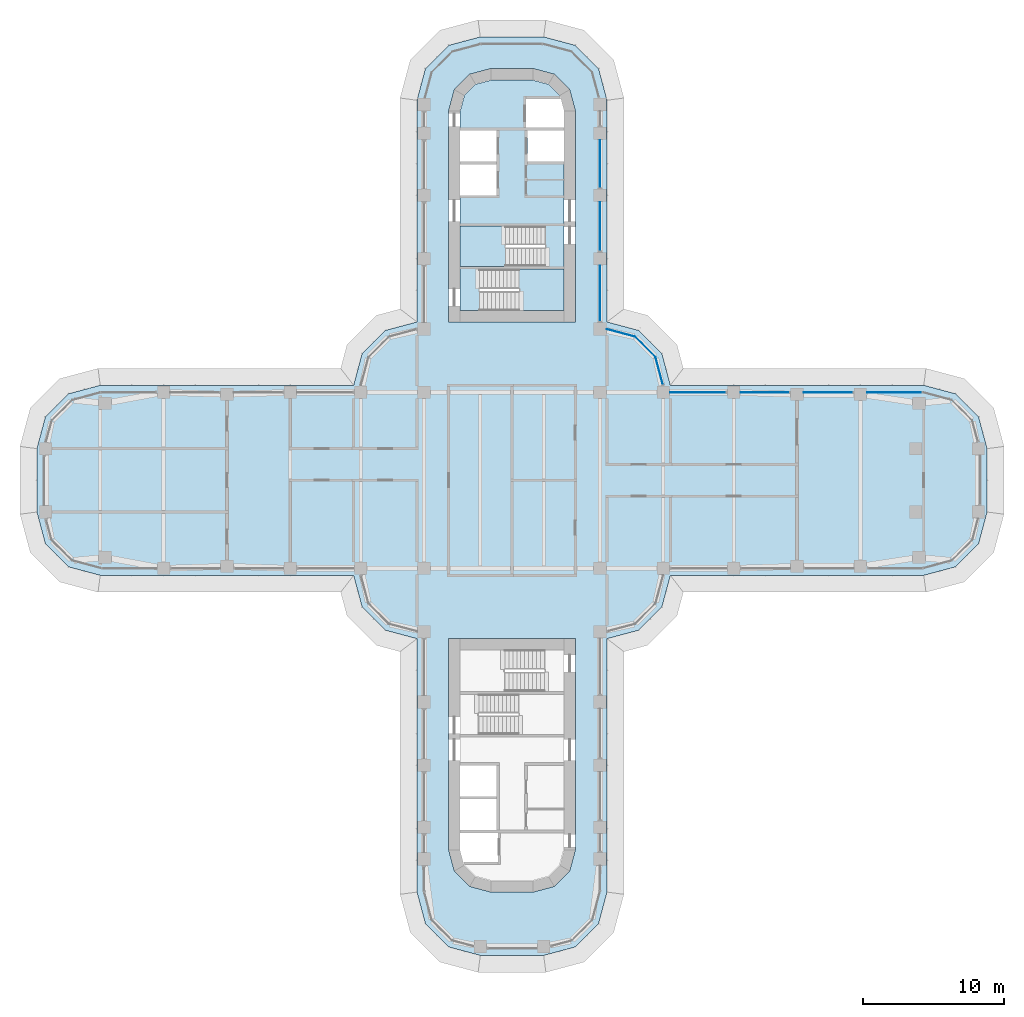
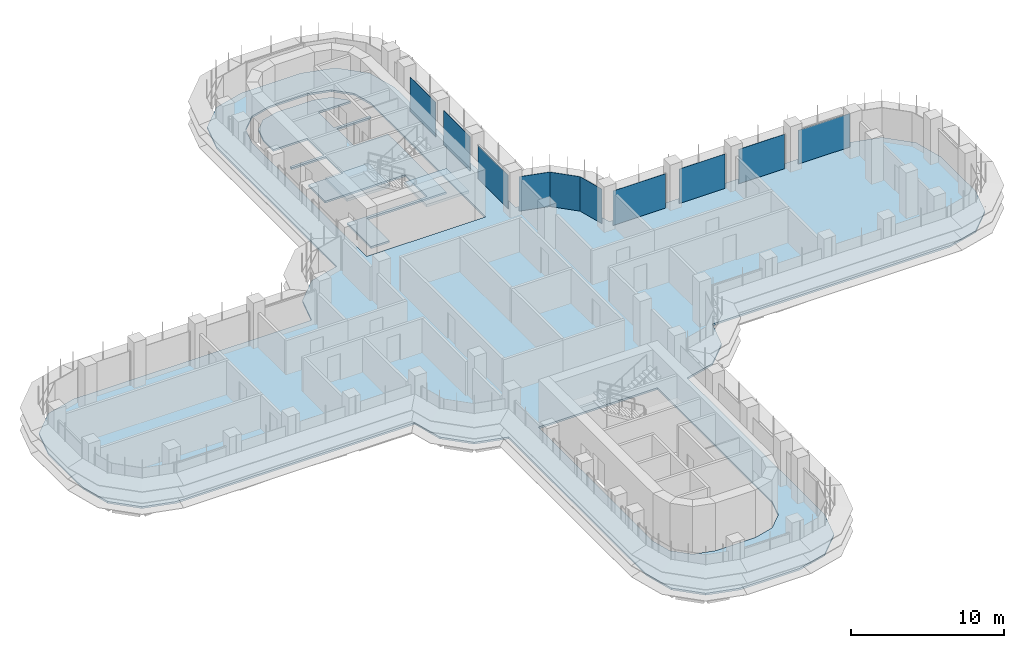
# One storey, part 14 of 22: 10 plates, 4 slabs, 7 elements without a shape of their own.
"""IFC4 building model written with IfcOpenShell, lengths in metres."""

from ifc_helpers import new_model, si_unit, direction, frame, origin, place, context, subcontext, project, spatial, polyline, outline, extrude, source, transform, mapped, material, layer, layer_set, type_object, element, aggregate, save


model = new_model("IFC4")

# Units and contexts
model_context = context("Model", 3, precision=1e-05, world=origin(), true_north=direction((0.0, 1.0)))
body_context = subcontext(model_context, "Body", "Model", "MODEL_VIEW")
ifc_project = project(units=[si_unit("LENGTHUNIT", "METRE"), si_unit("AREAUNIT", "SQUARE_METRE"), si_unit("VOLUMEUNIT", "CUBIC_METRE"), si_unit("PLANEANGLEUNIT", "RADIAN"), si_unit("MASSUNIT", "GRAM", prefix="KILO")], contexts=[model_context])

# Site, building, storey
site_placement = place(None, origin())
site = spatial("IfcSite", under=ifc_project, at=site_placement, CompositionType="ELEMENT")
building_placement = place(site_placement, origin())
building = spatial("IfcBuilding", under=site, at=building_placement, Name="Zarbagh Exchange Tower", CompositionType="ELEMENT")
storey_placement = place(building_placement, frame((0.0, 0.0, 98.0)))
storey = spatial("IfcBuildingStorey", under=building, at=storey_placement, Name="L22", CompositionType="ELEMENT", Elevation=98.0)

# Slabs
ifc_material_1 = material(Name="Concrete C40/50", Category="concrete")
ifc_layer_1 = layer(ifc_material_1, 0.14990234375)
ifc_layer_set_1 = layer_set([ifc_layer_1], Name="Composite floor slab 150 C40/50")
slab_type_1 = type_object("IfcSlabType", Name="Composite floor slab 150 C40/50", PredefinedType="FLOOR", material=ifc_layer_set_1)
slab_1_placement = place(storey_placement, frame((0.0, 0.0, -0.14990234375)))
element("IfcSlab", 1, at=slab_1_placement, inside=storey, type_object=slab_type_1, Name="S5 composite floor slab", PredefinedType="FLOOR", context=body_context, shape_type="SweptSolid", body=[
    extrude(outline(polyline([(-2.25, -33.75), (-4.5, -33.147216796875), (-6.147216796875, -31.5), (-6.75, -29.25), (-6.75, -11.25), (-9.0, -10.647216796875), (-10.647216796875, -9.0), (-11.25, -6.75), (-29.25, -6.75), (-31.5, -6.147216796875), (-33.147216796875, -4.5), (-33.75, -2.25), (-33.75, 2.25), (-33.147216796875, 4.5), (-31.5, 6.147216796875), (-29.25, 6.75), (-11.25, 6.75), (-10.647216796875, 9.0), (-9.0, 10.647216796875), (-6.75, 11.25), (-6.75, 27.0), (-6.147216796875, 29.25), (-4.5, 30.897216796875), (-2.25, 31.5), (2.25, 31.5), (4.5, 30.897216796875), (6.147216796875, 29.25), (6.75, 27.0), (6.75, 11.25), (9.0, 10.647216796875), (10.647216796875, 9.0), (11.25, 6.75), (29.25, 6.75), (31.5, 6.147216796875), (33.147216796875, 4.5), (33.75, 2.25), (33.75, -2.25), (33.147216796875, -4.5), (31.5, -6.147216796875), (29.25, -6.75), (11.25, -6.75), (10.647216796875, -9.0), (9.0, -10.647216796875), (6.75, -11.25), (6.75, -29.25), (6.147216796875, -31.5), (4.5, -33.147216796875), (2.25, -33.75), (-2.25, -33.75)]), holes=[polyline([(4.5, 11.25), (4.5, 26.25), (4.09814453125, 27.75), (3.0, 28.84814453125), (1.5, 29.25), (-1.5, 29.25), (-3.0, 28.84814453125), (-4.09814453125, 27.75), (-4.5, 26.25), (-4.5, 11.25), (4.5, 11.25)]), polyline([(-1.5, -29.25), (1.5, -29.25), (3.0, -28.84814453125), (4.09814453125, -27.75), (4.5, -26.25), (4.5, -11.25), (-4.5, -11.25), (-4.5, -26.25), (-4.09814453125, -27.75), (-3.0, -28.84814453125), (-1.5, -29.25)])]), origin(), (0.0, 0.0, 1.0), 0.14990234375),
])
ifc_layer_2 = layer(ifc_material_1, 0.14990234375)
ifc_layer_set_2 = layer_set([ifc_layer_2], Name="Core floor slab 150 C40/50")
slab_type_2 = type_object("IfcSlabType", Name="Core floor slab 150 C40/50", PredefinedType="FLOOR", material=ifc_layer_set_2)
slab_2_placement = place(storey_placement, frame((0.0, 0.0, -0.14990234375)))
element("IfcSlab", 2, at=slab_2_placement, inside=storey, type_object=slab_type_2, Name="S17 core N", PredefinedType="FLOOR", context=body_context, shape_type="SweptSolid", body=[
    extrude(outline(polyline([(-3.699951171875, 12.050048828125), (-3.699951171875, 15.199951171875), (2.35009765625, 15.199951171875), (2.35009765625, 18.050048828125), (-3.699951171875, 18.050048828125), (-3.699951171875, 20.25), (-1.10009765625, 20.25), (-1.10009765625, 22.449951171875), (-3.699951171875, 22.449951171875), (-3.699951171875, 22.64990234375), (-1.10009765625, 22.64990234375), (-1.10009765625, 24.85009765625), (-3.699951171875, 24.85009765625), (-3.699951171875, 26.144775390625), (-3.380859375, 27.3359375), (-2.5859375, 28.130859375), (-1.394775390625, 28.449951171875), (1.394775390625, 28.449951171875), (2.5859375, 28.130859375), (3.380859375, 27.3359375), (3.646484375, 26.3447265625), (3.444091796875, 27.10009765625), (1.0, 27.10009765625), (1.0, 25.050048828125), (3.699951171875, 25.050048828125), (3.699951171875, 24.85009765625), (1.10009765625, 24.85009765625), (1.10009765625, 22.64990234375), (3.699951171875, 22.64990234375), (3.699951171875, 15.0), (-2.300048828125, 15.0), (-2.300048828125, 12.050048828125), (-3.699951171875, 12.050048828125)])), origin(), (0.0, 0.0, 1.0), 0.14990234375),
])

# Stair, slab
stair_type = type_object("IfcStairType", Name="Exit stair two-flight half-turn", PredefinedType="HALF_TURN_STAIR", material=ifc_material_1)
stair_1_placement = place(storey_placement, origin())
stair_1 = element("IfcStair", 3, at=stair_1_placement, inside=storey, type_object=stair_type, Name="exit stair ST1", PredefinedType="HALF_TURN_STAIR")
ifc_layer_3 = layer(ifc_material_1, 0.199951171875)
ifc_layer_set_3 = layer_set([ifc_layer_3], Name="Stair landing 200 mm")
slab_type_3 = type_object("IfcSlabType", Name="Stair landing 200 mm", PredefinedType="LANDING", material=ifc_layer_set_3)
slab_3_placement = place(storey_placement, frame((0.0, 0.0, 1.699951171875)))
slab_3 = element("IfcSlab", 4, at=slab_3_placement, type_object=slab_type_3, Name="ST1 landing 1", PredefinedType="LANDING", context=body_context, shape_type="SweptSolid", body=[
    extrude(outline(polyline([(-0.449951171875, 18.050048828125), (-3.699951171875, 18.050048828125), (-3.699951171875, 15.199951171875), (-0.449951171875, 15.199951171875), (-0.449951171875, 18.050048828125)])), origin(), (0.0, 0.0, 1.0), 0.199951171875),
])
aggregate(stair_1, [slab_3])

stair_2_placement = place(storey_placement, origin())
stair_2 = element("IfcStair", 5, at=stair_2_placement, inside=storey, type_object=stair_type, Name="exit stair ST2", PredefinedType="HALF_TURN_STAIR")
slab_4_placement = place(storey_placement, frame((0.0, 0.0, 1.699951171875)))
slab_4 = element("IfcSlab", 6, at=slab_4_placement, type_object=slab_type_3, Name="ST2 landing 1", PredefinedType="LANDING", context=body_context, shape_type="SweptSolid", body=[
    extrude(outline(polyline([(0.5, 12.050048828125), (3.699951171875, 12.050048828125), (3.699951171875, 15.0), (0.5, 15.0), (0.5, 12.050048828125)])), origin(), (0.0, 0.0, 1.0), 0.199951171875),
])
aggregate(stair_2, [slab_4])

# Curtain wall, plate
ifc_material_2 = material(Name="Anodised aluminium frame and glazing", Category="aluminium")
curtain_wall_type = type_object("IfcCurtainWallType", Name="CWA Ribbon glazing, lower zones", PredefinedType="NOTDEFINED", material=ifc_material_2)
curtain_wall_1_placement = place(storey_placement, origin())
curtain_wall_1 = element("IfcCurtainWall", 7, at=curtain_wall_1_placement, inside=storey, type_object=curtain_wall_type, Name="CWA18 curtain wall", PredefinedType="NOTDEFINED")
ifc_material_3 = material(Name="Low-e double glazed unit, 6+12+6 mm")
ifc_layer_4 = layer(ifc_material_3, 0.028076171875)
ifc_layer_set_4 = layer_set([ifc_layer_4], Name="PAA Glazing panel, Low-e double glazed unit, 6+12+6 mm")
plate_type = type_object("IfcPlateType", Name="PAA Glazing panel, Low-e double glazed unit, 6+12+6 mm", PredefinedType="CURTAIN_PANEL", material=ifc_layer_set_4)
shared_shape_1 = source(origin(), body_context, "Body", "SweptSolid", [
    extrude(outline(polyline([(0.0, -0.013916015625), (2.061279296875, -0.013916015625), (2.061279296875, 0.013916015625), (0.0, 0.013916015625), (0.0, -0.013916015625)])), origin(), (0.0, 0.0, 1.0), 2.75),
])
placement = place(storey_placement, origin())
plate_1 = element("IfcPlate", 8, at=placement, type_object=plate_type, Name="CWA18 glazing panel 1.1", PredefinedType="CURTAIN_PANEL", context=body_context, shape_type="MappedRepresentation", body=[
    mapped(shared_shape_1, transform((10.19873046875, 8.7412109375, 0.0), x_axis=(-0.707106781187, 0.707106781187, 0.0), y_axis=(-0.707106781187, -0.707106781187, 0.0), z_axis=(0.0, 0.0, 1.0))),
])
aggregate(curtain_wall_1, [plate_1])

curtain_wall_2_placement = place(storey_placement, origin())
curtain_wall_2 = element("IfcCurtainWall", 9, at=curtain_wall_2_placement, inside=storey, type_object=curtain_wall_type, Name="CWA49 curtain wall", PredefinedType="NOTDEFINED")
shared_shape_2 = source(origin(), body_context, "Body", "SweptSolid", [
    extrude(outline(polyline([(0.0, -0.013916015625), (3.360107421875, -0.013916015625), (3.360107421875, 0.013916015625), (0.0, 0.013916015625), (0.0, -0.013916015625)])), origin(), (0.0, 0.0, 1.0), 2.75),
])
plate_2 = element("IfcPlate", 10, at=placement, type_object=plate_type, Name="CWA49 glazing panel 3.1", PredefinedType="CURTAIN_PANEL", context=body_context, shape_type="MappedRepresentation", body=[
    mapped(shared_shape_2, transform((6.25, 20.800048828125, 0.0), x_axis=(0.0, 1.0, 0.0), y_axis=(-1.0, 0.0, 0.0), z_axis=(0.0, 0.0, 1.0))),
])

# Curtain wall, plates
curtain_wall_3_placement = place(storey_placement, origin())
curtain_wall_3 = element("IfcCurtainWall", 11, at=curtain_wall_3_placement, inside=storey, type_object=curtain_wall_type, Name="CWA16 curtain wall", PredefinedType="NOTDEFINED")
shared_shape_3 = source(origin(), body_context, "Body", "SweptSolid", [
    extrude(outline(polyline([(0.0, -0.013916015625), (3.4599609375, -0.013916015625), (3.4599609375, 0.013916015625), (0.0, 0.013916015625), (0.0, -0.013916015625)])), origin(), (0.0, 0.0, 1.0), 2.75),
])
plate_3 = element("IfcPlate", 12, at=placement, type_object=plate_type, Name="CWA16 glazing panel 2.1", PredefinedType="CURTAIN_PANEL", context=body_context, shape_type="MappedRepresentation", body=[
    mapped(shared_shape_3, transform((24.199951171875, 6.25, 0.0), x_axis=(-1.0, 0.0, 0.0), y_axis=(0.0, -1.0, 0.0), z_axis=(0.0, 0.0, 1.0))),
])
plate_4 = element("IfcPlate", 13, at=placement, type_object=plate_type, Name="CWA16 glazing panel 3.1", PredefinedType="CURTAIN_PANEL", context=body_context, shape_type="MappedRepresentation", body=[
    mapped(shared_shape_3, transform((19.699951171875, 6.25, 0.0), x_axis=(-1.0, 0.0, 0.0), y_axis=(0.0, -1.0, 0.0), z_axis=(0.0, 0.0, 1.0))),
])

# Plate
plate_5 = element("IfcPlate", 14, at=placement, type_object=plate_type, Name="CWA49 glazing panel 2.1", PredefinedType="CURTAIN_PANEL", context=body_context, shape_type="MappedRepresentation", body=[
    mapped(shared_shape_3, transform((6.25, 16.300048828125, 0.0), x_axis=(0.0, 1.0, 0.0), y_axis=(-1.0, 0.0, 0.0), z_axis=(0.0, 0.0, 1.0))),
])

shared_shape_4 = source(origin(), body_context, "Body", "SweptSolid", [
    extrude(outline(polyline([(0.0, -0.013916015625), (3.9599609375, -0.013916015625), (3.9599609375, 0.013916015625), (0.0, 0.013916015625), (0.0, -0.013916015625)])), origin(), (0.0, 0.0, 1.0), 2.75),
])
plate_6 = element("IfcPlate", 15, at=placement, type_object=plate_type, Name="CWA16 glazing panel 4.1", PredefinedType="CURTAIN_PANEL", context=body_context, shape_type="MappedRepresentation", body=[
    mapped(shared_shape_4, transform((15.199951171875, 6.25, 0.0), x_axis=(-1.0, 0.0, 0.0), y_axis=(0.0, -1.0, 0.0), z_axis=(0.0, 0.0, 1.0))),
])

# Curtain wall, plate
curtain_wall_4_placement = place(storey_placement, origin())
curtain_wall_4 = element("IfcCurtainWall", 16, at=curtain_wall_4_placement, inside=storey, type_object=curtain_wall_type, Name="CWA17 curtain wall", PredefinedType="NOTDEFINED")
shared_shape_5 = source(origin(), body_context, "Body", "SweptSolid", [
    extrude(outline(polyline([(0.0, -0.013916015625), (2.01171875, -0.013916015625), (2.01171875, 0.013916015625), (0.0, 0.013916015625), (0.0, -0.013916015625)])), origin(), (0.0, 0.0, 1.0), 2.75),
])
plate_7 = element("IfcPlate", 17, at=placement, type_object=plate_type, Name="CWA17 glazing panel 1.1", PredefinedType="CURTAIN_PANEL", context=body_context, shape_type="MappedRepresentation", body=[
    mapped(shared_shape_5, transform((10.719482421875, 6.7978515625, 0.0), x_axis=(-0.258824779902, 0.965924289636, 0.0), y_axis=(-0.965924289636, -0.258824779902, 0.0), z_axis=(0.0, 0.0, 1.0))),
])
aggregate(curtain_wall_4, [plate_7])

curtain_wall_5_placement = place(storey_placement, origin())
curtain_wall_5 = element("IfcCurtainWall", 18, at=curtain_wall_5_placement, inside=storey, type_object=curtain_wall_type, Name="CWA19 curtain wall", PredefinedType="NOTDEFINED")
shared_shape_6 = source(origin(), body_context, "Body", "SweptSolid", [
    extrude(outline(polyline([(0.0, -0.013916015625), (2.07177734375, -0.013916015625), (2.07177734375, 0.013916015625), (0.0, 0.013916015625), (0.0, -0.013916015625)])), origin(), (0.0, 0.0, 1.0), 2.75),
])
plate_8 = element("IfcPlate", 19, at=placement, type_object=plate_type, Name="CWA19 glazing panel 1.1", PredefinedType="CURTAIN_PANEL", context=body_context, shape_type="MappedRepresentation", body=[
    mapped(shared_shape_6, transform((8.7412109375, 10.19873046875, 0.0), x_axis=(-0.965924289636, 0.258824779902, 0.0), y_axis=(-0.258824779902, -0.965924289636, 0.0), z_axis=(0.0, 0.0, 1.0))),
])
aggregate(curtain_wall_5, [plate_8])

# Plate
shared_shape_7 = source(origin(), body_context, "Body", "SweptSolid", [
    extrude(outline(polyline([(0.0, -0.013916015625), (3.9599609375, -0.013916015625), (3.9599609375, 0.013916015625), (0.0, 0.013916015625), (0.0, -0.013916015625)])), origin(), (0.0, 0.0, 1.0), 2.68994140625),
])
plate_9 = element("IfcPlate", 20, at=placement, type_object=plate_type, Name="CWA49 glazing panel 1.1", PredefinedType="CURTAIN_PANEL", context=body_context, shape_type="MappedRepresentation", body=[
    mapped(shared_shape_7, transform((6.25, 11.300048828125, 0.0), x_axis=(0.0, 1.0, 0.0), y_axis=(-1.0, 0.0, 0.0), z_axis=(0.0, 0.0, 1.0))),
])

aggregate(curtain_wall_2, [plate_9, plate_5, plate_2])

shared_shape_8 = source(origin(), body_context, "Body", "SweptSolid", [
    extrude(outline(polyline([(0.0, -0.013916015625), (3.88427734375, -0.013916015625), (3.88427734375, 0.013916015625), (0.0, 0.013916015625), (0.0, -0.013916015625)])), origin(), (0.0, 0.0, 1.0), 2.68994140625),
])
plate_10 = element("IfcPlate", 21, at=placement, type_object=plate_type, Name="CWA16 glazing panel 1.1", PredefinedType="CURTAIN_PANEL", context=body_context, shape_type="MappedRepresentation", body=[
    mapped(shared_shape_8, transform((29.124267578125, 6.25, 0.0), x_axis=(-1.0, 0.0, 0.0), y_axis=(0.0, -1.0, 0.0), z_axis=(0.0, 0.0, 1.0))),
])

aggregate(curtain_wall_3, [plate_10, plate_3, plate_4, plate_6])

save(model, "model.ifc")
